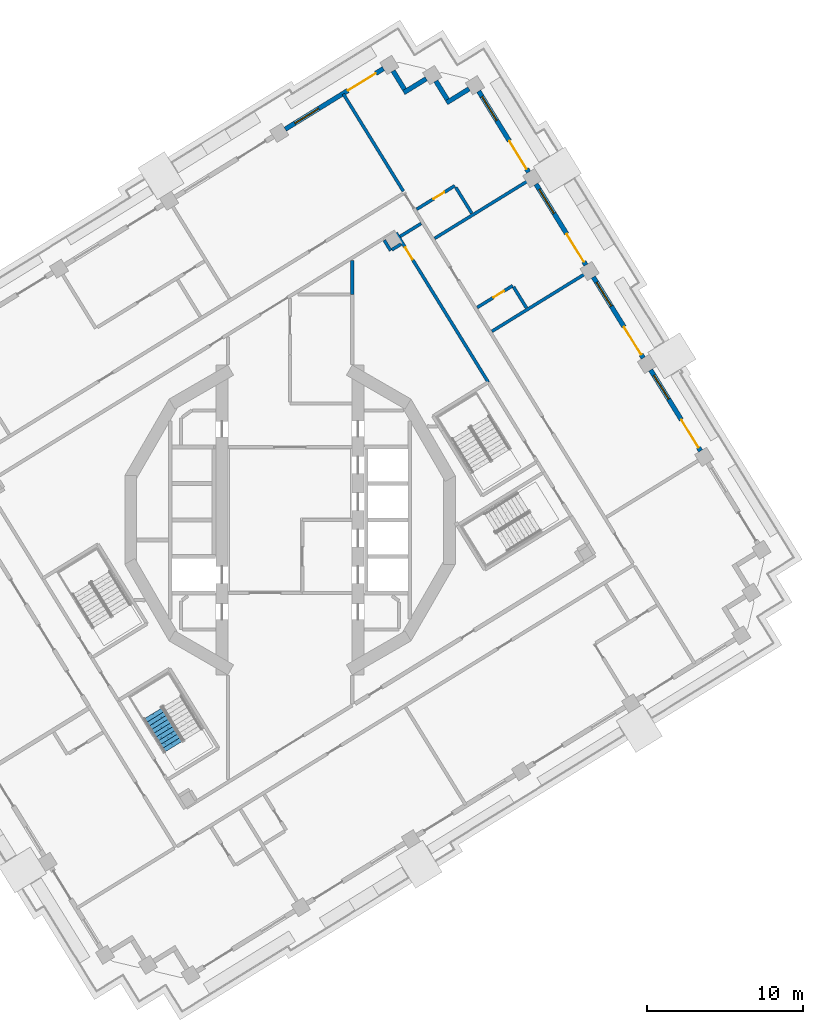
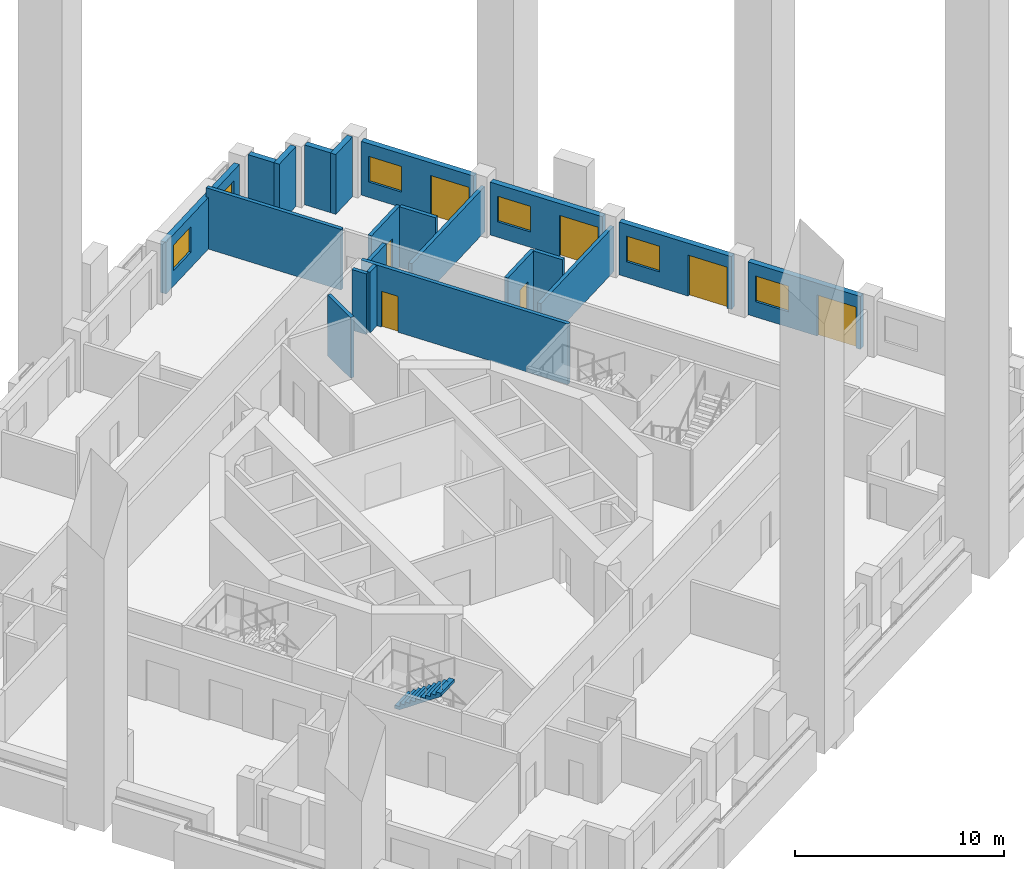
# One storey, part 8 of 19: 21 walls, 8 doors, 5 windows, 1 stair flight, 13 openings, 1 element without a shape of its own.
"""IFC4 building model written with IfcOpenShell, lengths in metres."""

from ifc_helpers import new_model, si_unit, direction, frame, frame_2d, origin, place, context, subcontext, project, spatial, polyline, rectangle, outline, extrude, material, layer, layer_set, type_object, element, fill, aggregate, save


model = new_model("IFC4")

# Units and contexts
model_context = context("Model", 3, precision=1e-05, world=origin(), true_north=direction((0.0, 1.0)))
body_context = subcontext(model_context, "Body", "Model", "MODEL_VIEW")
ifc_project = project(units=[si_unit("LENGTHUNIT", "METRE"), si_unit("AREAUNIT", "SQUARE_METRE"), si_unit("VOLUMEUNIT", "CUBIC_METRE"), si_unit("PLANEANGLEUNIT", "RADIAN"), si_unit("MASSUNIT", "GRAM", prefix="KILO")], contexts=[model_context])

# Site, building, storey
site_placement = place(None, origin())
site = spatial("IfcSite", under=ifc_project, at=site_placement, CompositionType="ELEMENT")
building_placement = place(site_placement, origin())
building = spatial("IfcBuilding", under=site, at=building_placement, Name="Cantera Rosa Tower", CompositionType="ELEMENT")
storey_placement = place(building_placement, frame((0.0, 0.0, 147.60009765625)))
storey = spatial("IfcBuildingStorey", under=building, at=storey_placement, Name="L31", CompositionType="ELEMENT", Elevation=147.60009765625)

# Walls
ifc_material_1 = material(Name="Gypsum board partition")
ifc_layer_1 = layer(ifc_material_1, 0.199951171875)
ifc_layer_set_1 = layer_set([ifc_layer_1], Name="CORRIDOR WALL 200 H3550")
wall_type_1 = type_object("IfcWallType", Name="CORRIDOR WALL 200 H3550", PredefinedType="PARTITIONING", material=ifc_layer_set_1)
wall_1_placement = place(storey_placement, frame((4.0, 14.5, 0.0), z_axis=(0.0, 0.0, 1.0), x_axis=(0.0, 1.0, 0.0)))
element("IfcWall", 1, at=wall_1_placement, inside=storey, type_object=wall_type_1, Name="CORRIDOR WALL L31-069", PredefinedType="PARTITIONING", context=body_context, shape_type="SweptSolid", body=[
    extrude(rectangle(XDim=2.2001953125, YDim=0.199951171875, at=frame_2d((1.10009765625, 0.0))), origin(), (0.0, 0.0, 1.0), 3.5498046875),
])
wall_2_placement = place(storey_placement, frame((7.08154296875, 18.234619140625, 0.0), z_axis=(0.0, 0.0, 1.0), x_axis=(0.8511858258, 0.524864449127, 0.0)))
element("IfcWall", 2, at=wall_2_placement, inside=storey, type_object=wall_type_1, Name="CORRIDOR WALL L31-081", PredefinedType="PARTITIONING", context=body_context, shape_type="SweptSolid", body=[
    extrude(rectangle(XDim=1.580078125, YDim=0.199951171875, at=frame_2d((0.7900390625, 0.0))), origin(), (0.0, 0.0, 1.0), 3.5498046875),
])

# Wall, opening, door
wall_3_placement = place(storey_placement, frame((12.74560546875, 8.861328125, 0.0), z_axis=(0.0, 0.0, 1.0), x_axis=(-0.524983574612, 0.851112358263, 0.0)))
wall_3 = element("IfcWall", 3, at=wall_3_placement, inside=storey, type_object=wall_type_1, Name="CORRIDOR WALL L31-098", PredefinedType="PARTITIONING", context=body_context, shape_type="SweptSolid", body=[
    extrude(rectangle(XDim=11.279296875, YDim=0.199951171875, at=frame_2d((5.6396484375, 0.0))), origin(), (0.0, 0.0, 1.0), 3.5498046875),
])
opening_1_placement = place(wall_3_placement, frame((9.26171875, 0.0, 0.0)))
opening_1 = element("IfcOpeningElement", 4, at=opening_1_placement, cuts=wall_3, Name="Opening L31-005", PredefinedType="OPENING", context=body_context, shape_type="SweptSolid", body=[
    extrude(rectangle(XDim=0.89990234375, YDim=2.10009765625, at=frame_2d((0.449951171875, 1.050048828125))), frame((0.0, 0.10986328125, 0.0), z_axis=(0.0, -1.0, 0.0), x_axis=(1.0, 0.0, 0.0)), (0.0, 0.0, 1.0), 0.219970703125),
])
ifc_material_2 = material(Name="Timber door leaf", Category="wood")
door_type_1 = type_object("IfcDoorType", Name="SERVICE DOOR 900x2100", OperationType="NOTDEFINED", PredefinedType="DOOR", material=ifc_material_2)
door_1_placement = place(opening_1_placement, origin())
door_1 = element("IfcDoor", 5, at=door_1_placement, inside=storey, type_object=door_type_1, Name="DOOR L31-005", OperationType="NOTDEFINED", OverallHeight=2.10009765625, OverallWidth=0.89990234375, PredefinedType="DOOR", context=body_context, shape_type="SweptSolid", body=[
    extrude(rectangle(XDim=0.89990234375, YDim=2.10009765625, at=frame_2d((0.449951171875, 1.050048828125))), frame((0.0, 0.02490234375, 0.0), z_axis=(0.0, -1.0, 0.0), x_axis=(1.0, 0.0, 0.0)), (0.0, 0.0, 1.0), 0.050048828125),
])
fill(opening_1, door_1)

# Walls
ifc_material_3 = material(Name="Hollow clay masonry with cantera stone cladding", Category="masonry")
ifc_layer_2 = layer(ifc_material_3, 0.300048828125)
ifc_layer_set_2 = layer_set([ifc_layer_2], Name="EW-LOGGIA 300")
wall_type_2 = type_object("IfcWallType", Name="EW-LOGGIA 300", PredefinedType="SOLIDWALL", material=ifc_layer_set_2)
wall_4_placement = place(storey_placement, frame((11.51123046875, 27.72021484375, 0.0), z_axis=(0.0, 0.0, 1.0), x_axis=(-0.851130227454, -0.524954603669, 0.0)))
element("IfcWall", 6, at=wall_4_placement, inside=storey, type_object=wall_type_2, Name="EN-L31-W06a", PredefinedType="SOLIDWALL", context=body_context, shape_type="SweptSolid", body=[
    extrude(rectangle(XDim=1.699951171875, YDim=0.300048828125, at=frame_2d((0.85009765625, 0.0))), origin(), (0.0, 0.0, 1.0), 3.5),
])
wall_5_placement = place(storey_placement, frame((10.11328125, 27.0341796875, 0.0), z_axis=(0.0, 0.0, 1.0), x_axis=(-0.524895019961, 0.85116697423, 0.0)))
element("IfcWall", 7, at=wall_5_placement, inside=storey, type_object=wall_type_2, Name="EN-L31-W06b", PredefinedType="SOLIDWALL", context=body_context, shape_type="SweptSolid", body=[
    extrude(rectangle(XDim=1.39990234375, YDim=0.300048828125, at=frame_2d((0.699951171875, 0.0))), origin(), (0.0, 0.0, 1.0), 3.5),
])
wall_6_placement = place(storey_placement, frame((8.75927734375, 28.37255859375, 0.0), z_axis=(0.0, 0.0, 1.0), x_axis=(-0.851105638601, -0.524994468487, 0.0)))
element("IfcWall", 8, at=wall_6_placement, inside=storey, type_object=wall_type_2, Name="EN-L31-W07a", PredefinedType="SOLIDWALL", context=body_context, shape_type="SweptSolid", body=[
    extrude(rectangle(XDim=1.7001953125, YDim=0.300048828125, at=frame_2d((0.85009765625, 0.0))), origin(), (0.0, 0.0, 1.0), 3.5),
])
wall_7_placement = place(storey_placement, frame((7.361083984375, 27.6865234375, 0.0), z_axis=(0.0, 0.0, 1.0), x_axis=(-0.524895019961, 0.85116697423, 0.0)))
element("IfcWall", 9, at=wall_7_placement, inside=storey, type_object=wall_type_2, Name="EN-L31-W07b", PredefinedType="SOLIDWALL", context=body_context, shape_type="SweptSolid", body=[
    extrude(rectangle(XDim=1.39990234375, YDim=0.300048828125, at=frame_2d((0.699951171875, 0.0))), origin(), (0.0, 0.0, 1.0), 3.5),
])

# Wall, openings, window, door
ifc_material_4 = material(Name="Hollow clay masonry with cantera stone cladding", Category="masonry")
ifc_layer_3 = layer(ifc_material_4, 0.300048828125)
ifc_layer_set_3 = layer_set([ifc_layer_3], Name="EW-LOGGIA 300 H3020")
wall_type_3 = type_object("IfcWallType", Name="EW-LOGGIA 300 H3020", PredefinedType="SOLIDWALL", material=ifc_layer_set_3)
wall_8_placement = place(storey_placement, frame((6.007080078125, 29.02490234375, 0.0), z_axis=(0.0, 0.0, 1.0), x_axis=(-0.851111085575, -0.524985637909, 0.0)))
wall_8 = element("IfcWall", 10, at=wall_8_placement, inside=storey, type_object=wall_type_3, Name="EN-L31-W08", PredefinedType="SOLIDWALL", context=body_context, shape_type="SweptSolid", body=[
    extrude(rectangle(XDim=7.420166015625, YDim=0.300048828125, at=frame_2d((3.7099609375, 0.0))), origin(), (0.0, 0.0, 1.0), 3.02001953125),
])
opening_2_placement = place(wall_8_placement, frame((0.580078125, 0.0, 0.0)))
opening_2 = element("IfcOpeningElement", 11, at=opening_2_placement, cuts=wall_8, Name="Opening L31-TD11", PredefinedType="OPENING", context=body_context, shape_type="SweptSolid", body=[
    extrude(rectangle(XDim=2.10009765625, YDim=2.39990234375, at=frame_2d((1.050048828125, 1.199951171875))), frame((0.0, 0.159912109375, 0.0), z_axis=(0.0, -1.0, 0.0), x_axis=(1.0, 0.0, 0.0)), (0.0, 0.0, 1.0), 0.320068359375),
])
opening_3_placement = place(wall_8_placement, frame((4.889892578125, 0.0, 0.89990234375)))
opening_3 = element("IfcOpeningElement", 12, at=opening_3_placement, cuts=wall_8, Name="Opening L31-W12", PredefinedType="OPENING", context=body_context, shape_type="SweptSolid", body=[
    extrude(rectangle(XDim=1.800048828125, YDim=1.5, at=frame_2d((0.89990234375, 0.75))), frame((0.0, 0.159912109375, 0.0), z_axis=(0.0, -1.0, 0.0), x_axis=(1.0, 0.0, 0.0)), (0.0, 0.0, 1.0), 0.320068359375),
])
ifc_material_5 = material(Name="Aluminium frame with clear glass", Category="aluminium")
window_type = type_object("IfcWindowType", Name="Hotel room window 1800x1500", PartitioningType="DOUBLE_PANEL_VERTICAL", PredefinedType="WINDOW", material=ifc_material_5)
window_1_placement = place(opening_3_placement, origin())
window_1 = element("IfcWindow", 13, at=window_1_placement, inside=storey, type_object=window_type, Name="WINDOW L31-W12", OverallHeight=1.5, OverallWidth=1.800048828125, PartitioningType="SINGLE_PANEL", PredefinedType="WINDOW", context=body_context, shape_type="SweptSolid", body=[
    extrude(rectangle(XDim=1.800048828125, YDim=1.5, at=frame_2d((0.89990234375, 0.75))), frame((0.0, 0.030029296875, 0.0), z_axis=(0.0, -1.0, 0.0), x_axis=(1.0, 0.0, 0.0)), (0.0, 0.0, 1.0), 0.06005859375),
])
fill(opening_3, window_1)
ifc_material_6 = material(Name="Aluminium frame with clear glass", Category="aluminium")
door_type_2 = type_object("IfcDoorType", Name="TD-H 2100x2400", OperationType="NOTDEFINED", PredefinedType="DOOR", material=ifc_material_6)
door_2_placement = place(opening_2_placement, origin())
door_2 = element("IfcDoor", 14, at=door_2_placement, inside=storey, type_object=door_type_2, Name="LOGGIA DOOR L31-TD11", OperationType="SLIDING_TO_LEFT", OverallHeight=2.39990234375, OverallWidth=2.10009765625, PredefinedType="DOOR", context=body_context, shape_type="SweptSolid", body=[
    extrude(rectangle(XDim=2.10009765625, YDim=2.39990234375, at=frame_2d((1.050048828125, 1.199951171875))), frame((0.0, 0.02490234375, 0.0), z_axis=(0.0, -1.0, 0.0), x_axis=(1.0, 0.0, 0.0)), (0.0, 0.0, 1.0), 0.050048828125),
])
fill(opening_2, door_2)

ifc_material_7 = material(Name="Hollow clay masonry with cantera stone cladding", Category="masonry")
ifc_layer_4 = layer(ifc_material_7, 0.300048828125)
ifc_layer_set_4 = layer_set([ifc_layer_4], Name="EW-LOGGIA 300 H3090")
wall_type_4 = type_object("IfcWallType", Name="EW-LOGGIA 300 H3090", PredefinedType="SOLIDWALL", material=ifc_layer_set_4)
wall_9_placement = place(storey_placement, frame((26.3994140625, 4.440185546875, 0.0), z_axis=(0.0, 0.0, 1.0), x_axis=(-0.524987447654, 0.851109969279, 0.0)))
wall_9 = element("IfcWall", 15, at=wall_9_placement, inside=storey, type_object=wall_type_4, Name="EN-L31-W02", PredefinedType="SOLIDWALL", context=body_context, shape_type="SweptSolid", body=[
    extrude(rectangle(XDim=6.119873046875, YDim=0.300048828125, at=frame_2d((3.06005859375, 0.0))), origin(), (0.0, 0.0, 1.0), 3.08984375),
])
opening_4_placement = place(wall_9_placement, frame((0.2548828125, 0.0, 0.0)))
opening_4 = element("IfcOpeningElement", 16, at=opening_4_placement, cuts=wall_9, Name="Opening L31-TD03", PredefinedType="OPENING", context=body_context, shape_type="SweptSolid", body=[
    extrude(rectangle(XDim=2.10009765625, YDim=2.39990234375, at=frame_2d((1.050048828125, 1.199951171875))), frame((0.0, 0.159912109375, 0.0), z_axis=(0.0, -1.0, 0.0), x_axis=(1.0, 0.0, 0.0)), (0.0, 0.0, 1.0), 0.320068359375),
])
opening_5_placement = place(wall_9_placement, frame((3.9150390625, 0.0, 0.89990234375)))
opening_5 = element("IfcOpeningElement", 17, at=opening_5_placement, cuts=wall_9, Name="Opening L31-W04", PredefinedType="OPENING", context=body_context, shape_type="SweptSolid", body=[
    extrude(rectangle(XDim=1.800048828125, YDim=1.5, at=frame_2d((0.89990234375, 0.75))), frame((0.0, 0.159912109375, 0.0), z_axis=(0.0, -1.0, 0.0), x_axis=(1.0, 0.0, 0.0)), (0.0, 0.0, 1.0), 0.320068359375),
])
window_2_placement = place(opening_5_placement, origin())
window_2 = element("IfcWindow", 18, at=window_2_placement, inside=storey, type_object=window_type, Name="WINDOW L31-W04", OverallHeight=1.5, OverallWidth=1.800048828125, PartitioningType="SINGLE_PANEL", PredefinedType="WINDOW", context=body_context, shape_type="SweptSolid", body=[
    extrude(rectangle(XDim=1.800048828125, YDim=1.5, at=frame_2d((0.89990234375, 0.75))), frame((0.0, 0.030029296875, 0.0), z_axis=(0.0, -1.0, 0.0), x_axis=(1.0, 0.0, 0.0)), (0.0, 0.0, 1.0), 0.06005859375),
])
fill(opening_5, window_2)
door_3_placement = place(opening_4_placement, origin())
door_3 = element("IfcDoor", 19, at=door_3_placement, inside=storey, type_object=door_type_2, Name="LOGGIA DOOR L31-TD03", OperationType="SLIDING_TO_LEFT", OverallHeight=2.39990234375, OverallWidth=2.10009765625, PredefinedType="DOOR", context=body_context, shape_type="SweptSolid", body=[
    extrude(rectangle(XDim=2.10009765625, YDim=2.39990234375, at=frame_2d((1.050048828125, 1.199951171875))), frame((0.0, 0.02490234375, 0.0), z_axis=(0.0, -1.0, 0.0), x_axis=(1.0, 0.0, 0.0)), (0.0, 0.0, 1.0), 0.050048828125),
])
fill(opening_4, door_3)

wall_10_placement = place(storey_placement, frame((22.714111328125, 10.4150390625, 0.0), z_axis=(0.0, 0.0, 1.0), x_axis=(-0.524987447654, 0.851109969279, 0.0)))
wall_10 = element("IfcWall", 20, at=wall_10_placement, inside=storey, type_object=wall_type_4, Name="EN-L31-W03", PredefinedType="SOLIDWALL", context=body_context, shape_type="SweptSolid", body=[
    extrude(rectangle(XDim=6.119873046875, YDim=0.300048828125, at=frame_2d((3.06005859375, 0.0))), origin(), (0.0, 0.0, 1.0), 3.08984375),
])
opening_6_placement = place(wall_10_placement, frame((0.2548828125, 0.0, 0.0)))
opening_6 = element("IfcOpeningElement", 21, at=opening_6_placement, cuts=wall_10, Name="Opening L31-TD05", PredefinedType="OPENING", context=body_context, shape_type="SweptSolid", body=[
    extrude(rectangle(XDim=2.10009765625, YDim=2.39990234375, at=frame_2d((1.050048828125, 1.199951171875))), frame((0.0, 0.159912109375, 0.0), z_axis=(0.0, -1.0, 0.0), x_axis=(1.0, 0.0, 0.0)), (0.0, 0.0, 1.0), 0.320068359375),
])
opening_7_placement = place(wall_10_placement, frame((3.9150390625, 0.0, 0.89990234375)))
opening_7 = element("IfcOpeningElement", 22, at=opening_7_placement, cuts=wall_10, Name="Opening L31-W06", PredefinedType="OPENING", context=body_context, shape_type="SweptSolid", body=[
    extrude(rectangle(XDim=1.800048828125, YDim=1.5, at=frame_2d((0.89990234375, 0.75))), frame((0.0, 0.159912109375, 0.0), z_axis=(0.0, -1.0, 0.0), x_axis=(1.0, 0.0, 0.0)), (0.0, 0.0, 1.0), 0.320068359375),
])
window_3_placement = place(opening_7_placement, origin())
window_3 = element("IfcWindow", 23, at=window_3_placement, inside=storey, type_object=window_type, Name="WINDOW L31-W06", OverallHeight=1.5, OverallWidth=1.800048828125, PartitioningType="SINGLE_PANEL", PredefinedType="WINDOW", context=body_context, shape_type="SweptSolid", body=[
    extrude(rectangle(XDim=1.800048828125, YDim=1.5, at=frame_2d((0.89990234375, 0.75))), frame((0.0, 0.030029296875, 0.0), z_axis=(0.0, -1.0, 0.0), x_axis=(1.0, 0.0, 0.0)), (0.0, 0.0, 1.0), 0.06005859375),
])
fill(opening_7, window_3)
door_4_placement = place(opening_6_placement, origin())
door_4 = element("IfcDoor", 24, at=door_4_placement, inside=storey, type_object=door_type_2, Name="LOGGIA DOOR L31-TD05", OperationType="SLIDING_TO_LEFT", OverallHeight=2.39990234375, OverallWidth=2.10009765625, PredefinedType="DOOR", context=body_context, shape_type="SweptSolid", body=[
    extrude(rectangle(XDim=2.10009765625, YDim=2.39990234375, at=frame_2d((1.050048828125, 1.199951171875))), frame((0.0, 0.02490234375, 0.0), z_axis=(0.0, -1.0, 0.0), x_axis=(1.0, 0.0, 0.0)), (0.0, 0.0, 1.0), 0.050048828125),
])
fill(opening_6, door_4)

wall_11_placement = place(storey_placement, frame((19.02880859375, 16.389892578125, 0.0), z_axis=(0.0, 0.0, 1.0), x_axis=(-0.524987447654, 0.851109969279, 0.0)))
wall_11 = element("IfcWall", 25, at=wall_11_placement, inside=storey, type_object=wall_type_4, Name="EN-L31-W04", PredefinedType="SOLIDWALL", context=body_context, shape_type="SweptSolid", body=[
    extrude(rectangle(XDim=6.119873046875, YDim=0.300048828125, at=frame_2d((3.06005859375, 0.0))), origin(), (0.0, 0.0, 1.0), 3.08984375),
])
opening_8_placement = place(wall_11_placement, frame((0.2548828125, 0.0, 0.0)))
opening_8 = element("IfcOpeningElement", 26, at=opening_8_placement, cuts=wall_11, Name="Opening L31-TD07", PredefinedType="OPENING", context=body_context, shape_type="SweptSolid", body=[
    extrude(rectangle(XDim=2.10009765625, YDim=2.39990234375, at=frame_2d((1.050048828125, 1.199951171875))), frame((0.0, 0.159912109375, 0.0), z_axis=(0.0, -1.0, 0.0), x_axis=(1.0, 0.0, 0.0)), (0.0, 0.0, 1.0), 0.320068359375),
])
opening_9_placement = place(wall_11_placement, frame((3.9150390625, 0.0, 0.89990234375)))
opening_9 = element("IfcOpeningElement", 27, at=opening_9_placement, cuts=wall_11, Name="Opening L31-W08", PredefinedType="OPENING", context=body_context, shape_type="SweptSolid", body=[
    extrude(rectangle(XDim=1.800048828125, YDim=1.5, at=frame_2d((0.89990234375, 0.75))), frame((0.0, 0.159912109375, 0.0), z_axis=(0.0, -1.0, 0.0), x_axis=(1.0, 0.0, 0.0)), (0.0, 0.0, 1.0), 0.320068359375),
])
window_4_placement = place(opening_9_placement, origin())
window_4 = element("IfcWindow", 28, at=window_4_placement, inside=storey, type_object=window_type, Name="WINDOW L31-W08", OverallHeight=1.5, OverallWidth=1.800048828125, PartitioningType="SINGLE_PANEL", PredefinedType="WINDOW", context=body_context, shape_type="SweptSolid", body=[
    extrude(rectangle(XDim=1.800048828125, YDim=1.5, at=frame_2d((0.89990234375, 0.75))), frame((0.0, 0.030029296875, 0.0), z_axis=(0.0, -1.0, 0.0), x_axis=(1.0, 0.0, 0.0)), (0.0, 0.0, 1.0), 0.06005859375),
])
fill(opening_9, window_4)
door_5_placement = place(opening_8_placement, origin())
door_5 = element("IfcDoor", 29, at=door_5_placement, inside=storey, type_object=door_type_2, Name="LOGGIA DOOR L31-TD07", OperationType="SLIDING_TO_LEFT", OverallHeight=2.39990234375, OverallWidth=2.10009765625, PredefinedType="DOOR", context=body_context, shape_type="SweptSolid", body=[
    extrude(rectangle(XDim=2.10009765625, YDim=2.39990234375, at=frame_2d((1.050048828125, 1.199951171875))), frame((0.0, 0.02490234375, 0.0), z_axis=(0.0, -1.0, 0.0), x_axis=(1.0, 0.0, 0.0)), (0.0, 0.0, 1.0), 0.050048828125),
])
fill(opening_8, door_5)

ifc_material_8 = material(Name="Hollow clay masonry with cantera stone cladding", Category="masonry")
ifc_layer_5 = layer(ifc_material_8, 0.300048828125)
ifc_layer_set_5 = layer_set([ifc_layer_5], Name="EW-LOGGIA 300 H3140")
wall_type_5 = type_object("IfcWallType", Name="EW-LOGGIA 300 H3140", PredefinedType="SOLIDWALL", material=ifc_layer_set_5)
wall_12_placement = place(storey_placement, frame((15.343505859375, 22.36474609375, 0.0), z_axis=(0.0, 0.0, 1.0), x_axis=(-0.524987447654, 0.851109969279, 0.0)))
wall_12 = element("IfcWall", 30, at=wall_12_placement, inside=storey, type_object=wall_type_5, Name="EN-L31-W05", PredefinedType="SOLIDWALL", context=body_context, shape_type="SweptSolid", body=[
    extrude(rectangle(XDim=6.119873046875, YDim=0.300048828125, at=frame_2d((3.06005859375, 0.0))), origin(), (0.0, 0.0, 1.0), 3.139892578125),
])
opening_10_placement = place(wall_12_placement, frame((0.2548828125, 0.0, 0.0)))
opening_10 = element("IfcOpeningElement", 31, at=opening_10_placement, cuts=wall_12, Name="Opening L31-TD09", PredefinedType="OPENING", context=body_context, shape_type="SweptSolid", body=[
    extrude(rectangle(XDim=2.10009765625, YDim=2.39990234375, at=frame_2d((1.050048828125, 1.199951171875))), frame((0.0, 0.159912109375, 0.0), z_axis=(0.0, -1.0, 0.0), x_axis=(1.0, 0.0, 0.0)), (0.0, 0.0, 1.0), 0.320068359375),
])
opening_11_placement = place(wall_12_placement, frame((3.9150390625, 0.0, 0.89990234375)))
opening_11 = element("IfcOpeningElement", 32, at=opening_11_placement, cuts=wall_12, Name="Opening L31-W10", PredefinedType="OPENING", context=body_context, shape_type="SweptSolid", body=[
    extrude(rectangle(XDim=1.800048828125, YDim=1.5, at=frame_2d((0.89990234375, 0.75))), frame((0.0, 0.159912109375, 0.0), z_axis=(0.0, -1.0, 0.0), x_axis=(1.0, 0.0, 0.0)), (0.0, 0.0, 1.0), 0.320068359375),
])
window_5_placement = place(opening_11_placement, origin())
window_5 = element("IfcWindow", 33, at=window_5_placement, inside=storey, type_object=window_type, Name="WINDOW L31-W10", OverallHeight=1.5, OverallWidth=1.800048828125, PartitioningType="SINGLE_PANEL", PredefinedType="WINDOW", context=body_context, shape_type="SweptSolid", body=[
    extrude(rectangle(XDim=1.800048828125, YDim=1.5, at=frame_2d((0.89990234375, 0.75))), frame((0.0, 0.030029296875, 0.0), z_axis=(0.0, -1.0, 0.0), x_axis=(1.0, 0.0, 0.0)), (0.0, 0.0, 1.0), 0.06005859375),
])
fill(opening_11, window_5)
door_6_placement = place(opening_10_placement, origin())
door_6 = element("IfcDoor", 34, at=door_6_placement, inside=storey, type_object=door_type_2, Name="LOGGIA DOOR L31-TD09", OperationType="SLIDING_TO_LEFT", OverallHeight=2.39990234375, OverallWidth=2.10009765625, PredefinedType="DOOR", context=body_context, shape_type="SweptSolid", body=[
    extrude(rectangle(XDim=2.10009765625, YDim=2.39990234375, at=frame_2d((1.050048828125, 1.199951171875))), frame((0.0, 0.02490234375, 0.0), z_axis=(0.0, -1.0, 0.0), x_axis=(1.0, 0.0, 0.0)), (0.0, 0.0, 1.0), 0.050048828125),
])
fill(opening_10, door_6)

# Walls
ifc_material_9 = material(Name="Gypsum board partition")
ifc_layer_6 = layer(ifc_material_9, 0.199951171875)
ifc_layer_set_6 = layer_set([ifc_layer_6], Name="PARTITION 200 H3550")
wall_type_6 = type_object("IfcWallType", Name="PARTITION 200 H3550", PredefinedType="PARTITIONING", material=ifc_layer_set_6)
wall_13_placement = place(storey_placement, frame((6.058349609375, 17.98876953125, 0.0), z_axis=(0.0, 0.0, 1.0), x_axis=(0.524813124932, -0.851217471566, 0.0)))
element("IfcWall", 35, at=wall_13_placement, inside=storey, type_object=wall_type_6, Name="PARTITION L31-075", PredefinedType="PARTITIONING", context=body_context, shape_type="SweptSolid", body=[
    extrude(rectangle(XDim=0.780029296875, YDim=0.199951171875, at=frame_2d((0.39013671875, 0.0))), origin(), (0.0, 0.0, 1.0), 3.5498046875),
])
wall_14_placement = place(storey_placement, frame((6.552978515625, 17.377197265625, 0.0), z_axis=(0.0, 0.0, 1.0), x_axis=(0.850930166337, 0.525278832638, 0.0)))
element("IfcWall", 36, at=wall_14_placement, inside=storey, type_object=wall_type_6, Name="PARTITION L31-077", PredefinedType="PARTITIONING", context=body_context, shape_type="SweptSolid", body=[
    extrude(rectangle(XDim=0.679931640625, YDim=0.199951171875, at=frame_2d((0.33984375, 0.0))), origin(), (0.0, 0.0, 1.0), 3.5498046875),
])

# Wall, opening, door
wall_15_placement = place(storey_placement, frame((8.1435546875, 19.979736328125, 0.0), z_axis=(0.0, 0.0, 1.0), x_axis=(0.851107741162, 0.524991059862, 0.0)))
wall_15 = element("IfcWall", 37, at=wall_15_placement, inside=storey, type_object=wall_type_6, Name="PARTITION L31-088", PredefinedType="PARTITIONING", context=body_context, shape_type="SweptSolid", body=[
    extrude(rectangle(XDim=2.8798828125, YDim=0.199951171875, at=frame_2d((1.43994140625, 0.0))), origin(), (0.0, 0.0, 1.0), 3.5498046875),
])
opening_12_placement = place(wall_15_placement, frame((1.280029296875, 0.0, 0.0)))
opening_12 = element("IfcOpeningElement", 38, at=opening_12_placement, cuts=wall_15, Name="Opening L31-024", PredefinedType="OPENING", context=body_context, shape_type="SweptSolid", body=[
    extrude(rectangle(XDim=0.800048828125, YDim=2.10009765625, at=frame_2d((0.39990234375, 1.050048828125))), frame((0.0, 0.10986328125, 0.0), z_axis=(0.0, -1.0, 0.0), x_axis=(1.0, 0.0, 0.0)), (0.0, 0.0, 1.0), 0.219970703125),
])
ifc_material_10 = material(Name="Timber door leaf", Category="wood")
door_type_3 = type_object("IfcDoorType", Name="BATHROOM DOOR 800x2100", OperationType="NOTDEFINED", PredefinedType="DOOR", material=ifc_material_10)
door_7_placement = place(opening_12_placement, origin())
door_7 = element("IfcDoor", 39, at=door_7_placement, inside=storey, type_object=door_type_3, Name="DOOR L31-024", OperationType="NOTDEFINED", OverallHeight=2.10009765625, OverallWidth=0.800048828125, PredefinedType="DOOR", context=body_context, shape_type="SweptSolid", body=[
    extrude(rectangle(XDim=0.800048828125, YDim=2.10009765625, at=frame_2d((0.39990234375, 1.050048828125))), frame((0.0, 0.02490234375, 0.0), z_axis=(0.0, -1.0, 0.0), x_axis=(1.0, 0.0, 0.0)), (0.0, 0.0, 1.0), 0.050048828125),
])
fill(opening_12, door_7)

# Wall
wall_16_placement = place(storey_placement, frame((10.65771484375, 21.3896484375, 0.0), z_axis=(0.0, 0.0, 1.0), x_axis=(0.525007514528, -0.851097591167, 0.0)))
element("IfcWall", 40, at=wall_16_placement, inside=storey, type_object=wall_type_6, Name="PARTITION L31-092", PredefinedType="PARTITIONING", context=body_context, shape_type="SweptSolid", body=[
    extrude(rectangle(XDim=1.9599609375, YDim=0.199951171875, at=frame_2d((0.97998046875, 0.0))), origin(), (0.0, 0.0, 1.0), 3.5498046875),
])

# Wall, opening, door
wall_17_placement = place(storey_placement, frame((12.038818359375, 13.66455078125, 0.0), z_axis=(0.0, 0.0, 1.0), x_axis=(0.851110493934, 0.524986597082, 0.0)))
wall_17 = element("IfcWall", 41, at=wall_17_placement, inside=storey, type_object=wall_type_6, Name="PARTITION L31-096", PredefinedType="PARTITIONING", context=body_context, shape_type="SweptSolid", body=[
    extrude(rectangle(XDim=2.679931640625, YDim=0.199951171875, at=frame_2d((1.33984375, 0.0))), origin(), (0.0, 0.0, 1.0), 3.5498046875),
])
opening_13_placement = place(wall_17_placement, frame((1.216064453125, 0.0, 0.0)))
opening_13 = element("IfcOpeningElement", 42, at=opening_13_placement, cuts=wall_17, Name="Opening L31-021", PredefinedType="OPENING", context=body_context, shape_type="SweptSolid", body=[
    extrude(rectangle(XDim=0.800048828125, YDim=2.10009765625, at=frame_2d((0.39990234375, 1.050048828125))), frame((0.0, 0.10986328125, 0.0), z_axis=(0.0, -1.0, 0.0), x_axis=(1.0, 0.0, 0.0)), (0.0, 0.0, 1.0), 0.219970703125),
])
door_8_placement = place(opening_13_placement, origin())
door_8 = element("IfcDoor", 43, at=door_8_placement, inside=storey, type_object=door_type_3, Name="DOOR L31-021", OperationType="NOTDEFINED", OverallHeight=2.10009765625, OverallWidth=0.800048828125, PredefinedType="DOOR", context=body_context, shape_type="SweptSolid", body=[
    extrude(rectangle(XDim=0.800048828125, YDim=2.10009765625, at=frame_2d((0.39990234375, 1.050048828125))), frame((0.0, 0.02490234375, 0.0), z_axis=(0.0, -1.0, 0.0), x_axis=(1.0, 0.0, 0.0)), (0.0, 0.0, 1.0), 0.050048828125),
])
fill(opening_13, door_8)

# Walls
wall_18_placement = place(storey_placement, frame((14.372314453125, 14.986328125, 0.0), z_axis=(0.0, 0.0, 1.0), x_axis=(0.525045417929, -0.851074208933, 0.0)))
element("IfcWall", 44, at=wall_18_placement, inside=storey, type_object=wall_type_6, Name="PARTITION L31-101", PredefinedType="PARTITIONING", context=body_context, shape_type="SweptSolid", body=[
    extrude(rectangle(XDim=1.580078125, YDim=0.199951171875, at=frame_2d((0.7900390625, 0.0))), origin(), (0.0, 0.0, 1.0), 3.5498046875),
])
ifc_material_11 = material(Name="Gypsum board partition")
ifc_layer_7 = layer(ifc_material_11, 0.199951171875)
ifc_layer_set_7 = layer_set([ifc_layer_7], Name="PARTY WALL 200 H2650")
wall_type_7 = type_object("IfcWallType", Name="PARTY WALL 200 H2650", PredefinedType="PARTITIONING", material=ifc_layer_set_7)
wall_19_placement = place(storey_placement, frame((9.29833984375, 18.107421875, 0.0), z_axis=(0.0, 0.0, 1.0), x_axis=(0.851133272812, 0.524949666075, 0.0)))
element("IfcWall", 45, at=wall_19_placement, inside=storey, type_object=wall_type_7, Name="PARTY WALL L31-090", PredefinedType="PARTITIONING", context=body_context, shape_type="SweptSolid", body=[
    extrude(rectangle(XDim=7.35009765625, YDim=0.199951171875, at=frame_2d((3.675048828125, 0.0))), origin(), (0.0, 0.0, 1.0), 2.64990234375),
])
wall_20_placement = place(storey_placement, frame((12.98388671875, 12.132568359375, 0.0), z_axis=(0.0, 0.0, 1.0), x_axis=(0.851109277096, 0.52498856982, 0.0)))
element("IfcWall", 46, at=wall_20_placement, inside=storey, type_object=wall_type_7, Name="PARTY WALL L31-100", PredefinedType="PARTITIONING", context=body_context, shape_type="SweptSolid", body=[
    extrude(rectangle(XDim=7.349853515625, YDim=0.199951171875, at=frame_2d((3.6748046875, 0.0))), origin(), (0.0, 0.0, 1.0), 2.64990234375),
])
ifc_material_12 = material(Name="Gypsum board partition")
ifc_layer_8 = layer(ifc_material_12, 0.199951171875)
ifc_layer_set_8 = layer_set([ifc_layer_8], Name="PARTY WALL 200 H3550")
wall_type_8 = type_object("IfcWallType", Name="PARTY WALL 200 H3550", PredefinedType="PARTITIONING", material=ifc_layer_set_8)
wall_21_placement = place(storey_placement, frame((7.285400390625, 21.142333984375, 0.0), z_axis=(0.0, 0.0, 1.0), x_axis=(-0.524973728225, 0.851118431638, 0.0)))
element("IfcWall", 47, at=wall_21_placement, inside=storey, type_object=wall_type_8, Name="PARTY WALL L31-083", PredefinedType="PARTITIONING", context=body_context, shape_type="SweptSolid", body=[
    extrude(rectangle(XDim=7.35009765625, YDim=0.199951171875, at=frame_2d((3.675048828125, 0.0))), origin(), (0.0, 0.0, 1.0), 3.5498046875),
])

# Stair, stair flight
ifc_material_13 = material(Name="Concrete C35/45", Category="concrete")
stair_type = type_object("IfcStairType", Name="EXIT STAIR 1350 DOGLEG", PredefinedType="HALF_TURN_STAIR", material=ifc_material_13)
stair_placement = place(storey_placement, origin())
stair = element("IfcStair", 48, at=stair_placement, inside=storey, type_object=stair_type, Name="L31 ST-33", PredefinedType="HALF_TURN_STAIR")
ifc_material_14 = material(Name="Concrete C35/45", Category="concrete")
stair_flight_type = type_object("IfcStairFlightType", Name="STAIR FLIGHT 1350 R20x190", PredefinedType="STRAIGHT", material=ifc_material_14)
stair_flight_placement = place(storey_placement, frame((-8.826416015625, -12.4404296875, 1.89990234375), z_axis=(0.0, 0.0, 1.0), x_axis=(0.524976585286, -0.851116669383, 0.0)))
stair_flight = element("IfcStairFlight", 49, at=stair_flight_placement, type_object=stair_flight_type, Name="ST-33 flight 2", NumberOfRisers=10, NumberOfTreads=9, PredefinedType="STRAIGHT", RiserHeight=0.19, TreadLength=0.28, context=body_context, shape_type="SweptSolid", body=[
    extrude(outline(polyline([(0.0, 0.0), (0.0, 0.18994140625), (0.280029296875, 0.18994140625), (0.280029296875, 0.3798828125), (0.56005859375, 0.3798828125), (0.56005859375, 0.570068359375), (0.840087890625, 0.570068359375), (0.840087890625, 0.760009765625), (1.1201171875, 0.760009765625), (1.1201171875, 0.949951171875), (1.39990234375, 0.949951171875), (1.39990234375, 1.139892578125), (1.679931640625, 1.139892578125), (1.679931640625, 1.330078125), (1.9599609375, 1.330078125), (1.9599609375, 1.52001953125), (2.239990234375, 1.52001953125), (2.239990234375, 1.7099609375), (2.52001953125, 1.7099609375), (2.52001953125, 1.89990234375), (2.52001953125, 1.52880859375), (0.266845703125, 0.0), (0.0, 0.0)])), frame((0.0, 0.675048828125, 0.0), z_axis=(0.0, -1.0, 0.0), x_axis=(1.0, 0.0, 0.0)), (0.0, 0.0, 1.0), 0.3359375),
    extrude(outline(polyline([(0.0, 0.0), (0.0, 0.18994140625), (0.280029296875, 0.18994140625), (0.280029296875, 0.3798828125), (0.56005859375, 0.3798828125), (0.56005859375, 0.570068359375), (0.840087890625, 0.570068359375), (0.840087890625, 0.760009765625), (1.1201171875, 0.760009765625), (1.1201171875, 0.949951171875), (1.39990234375, 0.949951171875), (1.39990234375, 1.139892578125), (1.679931640625, 1.139892578125), (1.679931640625, 1.330078125), (1.9599609375, 1.330078125), (1.9599609375, 1.52001953125), (2.239990234375, 1.52001953125), (2.239990234375, 1.7099609375), (2.52001953125, 1.7099609375), (2.52001953125, 1.89990234375), (2.52001953125, 1.52880859375), (0.266845703125, 0.0), (0.0, 0.0)])), frame((0.0, 0.337158203125, 0.0), z_axis=(0.0, -1.0, 0.0), x_axis=(1.0, 0.0, 0.0)), (0.0, 0.0, 1.0), 0.3359375),
    extrude(outline(polyline([(0.0, 0.0), (0.0, 0.18994140625), (0.280029296875, 0.18994140625), (0.280029296875, 0.3798828125), (0.56005859375, 0.3798828125), (0.56005859375, 0.570068359375), (0.840087890625, 0.570068359375), (0.840087890625, 0.760009765625), (1.1201171875, 0.760009765625), (1.1201171875, 0.949951171875), (1.39990234375, 0.949951171875), (1.39990234375, 1.139892578125), (1.679931640625, 1.139892578125), (1.679931640625, 1.330078125), (1.9599609375, 1.330078125), (1.9599609375, 1.52001953125), (2.239990234375, 1.52001953125), (2.239990234375, 1.7099609375), (2.52001953125, 1.7099609375), (2.52001953125, 1.89990234375), (2.52001953125, 1.52880859375), (0.266845703125, 0.0), (0.0, 0.0)])), frame((0.0, -0.000732421875, 0.0), z_axis=(0.0, -1.0, 0.0), x_axis=(1.0, 0.0, 0.0)), (0.0, 0.0, 1.0), 0.3359375),
    extrude(outline(polyline([(0.0, 0.0), (0.0, 0.18994140625), (0.280029296875, 0.18994140625), (0.280029296875, 0.3798828125), (0.56005859375, 0.3798828125), (0.56005859375, 0.570068359375), (0.840087890625, 0.570068359375), (0.840087890625, 0.760009765625), (1.1201171875, 0.760009765625), (1.1201171875, 0.949951171875), (1.39990234375, 0.949951171875), (1.39990234375, 1.139892578125), (1.679931640625, 1.139892578125), (1.679931640625, 1.330078125), (1.9599609375, 1.330078125), (1.9599609375, 1.52001953125), (2.239990234375, 1.52001953125), (2.239990234375, 1.7099609375), (2.52001953125, 1.7099609375), (2.52001953125, 1.89990234375), (2.52001953125, 1.52880859375), (0.266845703125, 0.0), (0.0, 0.0)])), frame((0.0, -0.338623046875, 0.0), z_axis=(0.0, -1.0, 0.0), x_axis=(1.0, 0.0, 0.0)), (0.0, 0.0, 1.0), 0.3359375),
])
aggregate(stair, [stair_flight])

save(model, "model.ifc")
